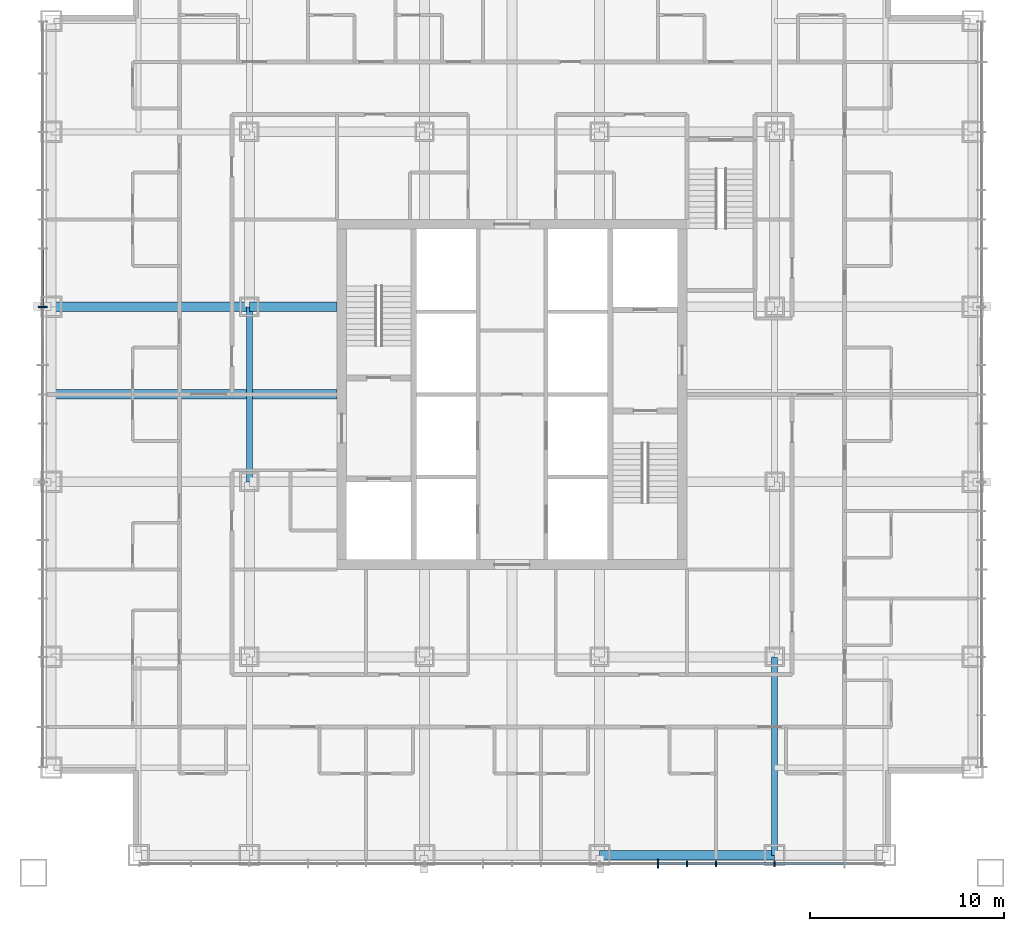
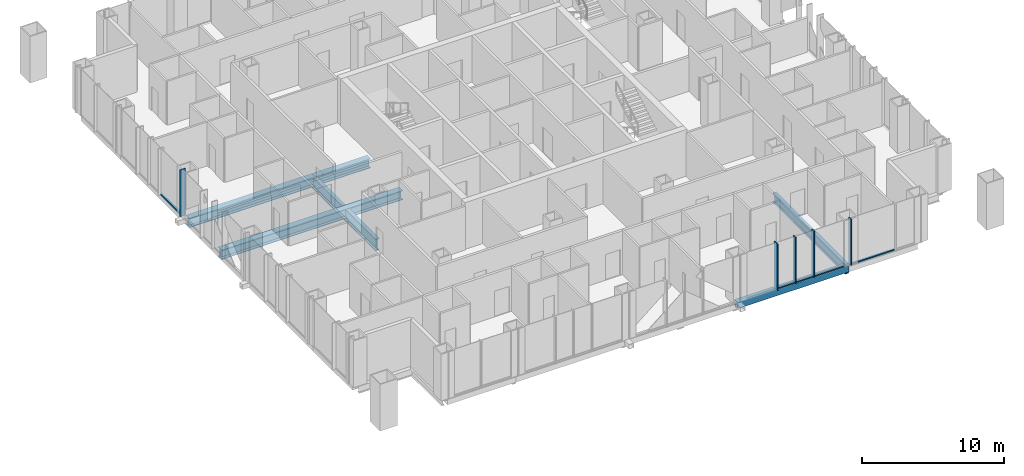
# One storey, part 3 of 16: 10 members, 6 beams, 2 elements without a shape of their own.
"""IFC4 building model written with IfcOpenShell, lengths in metres."""

from ifc_helpers import new_model, si_unit, direction, frame, origin, origin_2d, place, context, subcontext, project, spatial, rectangle, hollow_rectangle, i_section, extrude, material, layer, layer_set, material_profile, profile_set, type_object, element, aggregate, save


model = new_model("IFC4")

# Units and contexts
model_context = context("Model", 3, precision=1e-05, world=origin(), true_north=direction((0.0, 1.0)))
body_context = subcontext(model_context, "Body", "Model", "MODEL_VIEW")
ifc_project = project(units=[si_unit("LENGTHUNIT", "METRE"), si_unit("AREAUNIT", "SQUARE_METRE"), si_unit("VOLUMEUNIT", "CUBIC_METRE"), si_unit("PLANEANGLEUNIT", "RADIAN"), si_unit("MASSUNIT", "GRAM", prefix="KILO")], contexts=[model_context])

# Site, building, storey
site_placement = place(None, origin())
site = spatial("IfcSite", under=ifc_project, at=site_placement, CompositionType="ELEMENT")
building_placement = place(site_placement, origin())
building = spatial("IfcBuilding", under=site, at=building_placement, Name="Malebo Sky Hospital", CompositionType="ELEMENT")
storey_placement = place(building_placement, frame((0.0, 0.0, 116.0)))
storey = spatial("IfcBuildingStorey", under=building, at=storey_placement, Name="L27", CompositionType="ELEMENT", Elevation=116.0)

# Curtain wall, member
ifc_material_1 = material(Name="Anodised aluminium, natural silver", Category="aluminium")
ifc_layer_1 = layer(ifc_material_1, 0.25)
ifc_layer_set_1 = layer_set([ifc_layer_1], Name="WARD CURTAIN WALL EAST AND WEST")
curtain_wall_type_1 = type_object("IfcCurtainWallType", Name="WARD CURTAIN WALL EAST AND WEST", PredefinedType="NOTDEFINED", material=ifc_layer_set_1)
curtain_wall_1_placement = place(storey_placement, origin())
curtain_wall_1 = element("IfcCurtainWall", 1, at=curtain_wall_1_placement, inside=storey, type_object=curtain_wall_type_1, Name="EW curtain wall W", PredefinedType="NOTDEFINED")
ifc_material_profile_1 = material_profile(ifc_material_1, rectangle(XDim=0.14990234375, YDim=0.10009765625, at=origin_2d()), Name="ALUMINIUM TRANSOM 150x100")
ifc_profile_set_1 = profile_set([ifc_material_profile_1], Name="Anodised aluminium, natural silver")
member_type_1 = type_object("IfcMemberType", Name="ALUMINIUM TRANSOM 150x100", PredefinedType="USERDEFINED", material=ifc_profile_set_1)
member_1_placement = place(storey_placement, frame((35.864990234375, 66.53759765625, 0.050048828125), z_axis=(0.0, 1.0, 0.0), x_axis=(-1.0, 0.0, 0.0)))
member_1 = element("IfcMember", 2, at=member_1_placement, type_object=member_type_1, Name="Transom 11", ObjectType="TRANSOM", PredefinedType="USERDEFINED", context=body_context, shape_type="SweptSolid", body=[
    extrude(rectangle(XDim=0.14990234375, YDim=0.10009765625, at=origin_2d()), origin(), (0.0, 0.0, 1.0), 2.9248046875),
])

# Curtain wall, members
ifc_layer_2 = layer(ifc_material_1, 0.25)
ifc_layer_set_2 = layer_set([ifc_layer_2], Name="WARD CURTAIN WALL NORTH AND SOUTH")
curtain_wall_type_2 = type_object("IfcCurtainWallType", Name="WARD CURTAIN WALL NORTH AND SOUTH", PredefinedType="NOTDEFINED", material=ifc_layer_set_2)
curtain_wall_2_placement = place(storey_placement, origin())
curtain_wall_2 = element("IfcCurtainWall", 3, at=curtain_wall_2_placement, inside=storey, type_object=curtain_wall_type_2, Name="NS curtain wall S", PredefinedType="NOTDEFINED")
member_2_placement = place(storey_placement, frame((77.0625, 37.864990234375, 0.050048828125), z_axis=(-1.0, 0.0, 0.0), x_axis=(0.0, -1.0, 0.0)))
member_2 = element("IfcMember", 4, at=member_2_placement, type_object=member_type_1, Name="Transom 2", ObjectType="TRANSOM", PredefinedType="USERDEFINED", context=body_context, shape_type="SweptSolid", body=[
    extrude(rectangle(XDim=0.14990234375, YDim=0.10009765625, at=origin_2d()), origin(), (0.0, 0.0, 1.0), 3.52490234375),
])
member_3_placement = place(storey_placement, frame((73.46240234375, 37.864990234375, 0.050048828125), z_axis=(-1.0, 0.0, 0.0), x_axis=(0.0, -1.0, 0.0)))
member_3 = element("IfcMember", 5, at=member_3_placement, type_object=member_type_1, Name="Transom 3", ObjectType="TRANSOM", PredefinedType="USERDEFINED", context=body_context, shape_type="SweptSolid", body=[
    extrude(rectangle(XDim=0.14990234375, YDim=0.10009765625, at=origin_2d()), origin(), (0.0, 0.0, 1.0), 2.9248046875),
])
member_4_placement = place(storey_placement, frame((70.46240234375, 37.864990234375, 0.050048828125), z_axis=(-1.0, 0.0, 0.0), x_axis=(0.0, -1.0, 0.0)))
member_4 = element("IfcMember", 6, at=member_4_placement, type_object=member_type_1, Name="Transom 4", ObjectType="TRANSOM", PredefinedType="USERDEFINED", context=body_context, shape_type="SweptSolid", body=[
    extrude(rectangle(XDim=0.14990234375, YDim=0.10009765625, at=origin_2d()), origin(), (0.0, 0.0, 1.0), 1.4248046875),
])
member_5_placement = place(storey_placement, frame((68.96240234375, 37.864990234375, 0.050048828125), z_axis=(-1.0, 0.0, 0.0), x_axis=(0.0, -1.0, 0.0)))
member_5 = element("IfcMember", 7, at=member_5_placement, type_object=member_type_1, Name="Transom 5", ObjectType="TRANSOM", PredefinedType="USERDEFINED", context=body_context, shape_type="SweptSolid", body=[
    extrude(rectangle(XDim=0.14990234375, YDim=0.10009765625, at=origin_2d()), origin(), (0.0, 0.0, 1.0), 1.4248046875),
])
ifc_material_profile_2 = material_profile(ifc_material_1, rectangle(XDim=0.074951171875, YDim=0.300048828125, at=origin_2d()), Name="CW1 ALUMINIUM FIN MULLION 75x300")
ifc_profile_set_2 = profile_set([ifc_material_profile_2], Name="Anodised aluminium, natural silver")
member_type_2 = type_object("IfcMemberType", Name="CW1 ALUMINIUM FIN MULLION 75x300", PredefinedType="MULLION", material=ifc_profile_set_2)
member_6_placement = place(storey_placement, frame((73.5, 37.864990234375, 0.0), z_axis=(0.0, 0.0, 1.0), x_axis=(-1.0, 0.0, 0.0)))
member_6 = element("IfcMember", 8, at=member_6_placement, type_object=member_type_2, Name="Fin mullion 3", PredefinedType="MULLION", context=body_context, shape_type="SweptSolid", body=[
    extrude(rectangle(XDim=0.074951171875, YDim=0.300048828125, at=origin_2d()), origin(), (0.0, 0.0, 1.0), 4.0),
])
member_7_placement = place(storey_placement, frame((70.5, 37.864990234375, 0.0), z_axis=(0.0, 0.0, 1.0), x_axis=(-1.0, 0.0, 0.0)))
member_7 = element("IfcMember", 9, at=member_7_placement, type_object=member_type_2, Name="Fin mullion 4", PredefinedType="MULLION", context=body_context, shape_type="SweptSolid", body=[
    extrude(rectangle(XDim=0.074951171875, YDim=0.300048828125, at=origin_2d()), origin(), (0.0, 0.0, 1.0), 4.0),
])
member_8_placement = place(storey_placement, frame((69.0, 37.864990234375, 0.0), z_axis=(0.0, 0.0, 1.0), x_axis=(-1.0, 0.0, 0.0)))
member_8 = element("IfcMember", 10, at=member_8_placement, type_object=member_type_2, Name="Fin mullion 5", PredefinedType="MULLION", context=body_context, shape_type="SweptSolid", body=[
    extrude(rectangle(XDim=0.074951171875, YDim=0.300048828125, at=origin_2d()), origin(), (0.0, 0.0, 1.0), 4.0),
])
ifc_material_profile_3 = material_profile(ifc_material_1, rectangle(XDim=0.074951171875, YDim=0.449951171875, at=origin_2d()), Name="CW1 ALUMINIUM FIN MULLION 75x450")
ifc_profile_set_3 = profile_set([ifc_material_profile_3], Name="Anodised aluminium, natural silver")
member_type_3 = type_object("IfcMemberType", Name="CW1 ALUMINIUM FIN MULLION 75x450", PredefinedType="MULLION", material=ifc_profile_set_3)
member_9_placement = place(storey_placement, frame((67.5, 37.864990234375, 0.0), z_axis=(0.0, 0.0, 1.0), x_axis=(-1.0, 0.0, 0.0)))
member_9 = element("IfcMember", 11, at=member_9_placement, type_object=member_type_3, Name="Fin mullion 6", PredefinedType="MULLION", context=body_context, shape_type="SweptSolid", body=[
    extrude(rectangle(XDim=0.074951171875, YDim=0.449951171875, at=origin_2d()), origin(), (0.0, 0.0, 1.0), 4.0),
])
aggregate(curtain_wall_2, [member_6, member_7, member_8, member_9, member_2, member_3, member_4, member_5])

# Member
ifc_material_profile_4 = material_profile(ifc_material_1, rectangle(XDim=0.074951171875, YDim=0.449951171875, at=origin_2d()), Name="CW2 ALUMINIUM FIN MULLION 75x450")
ifc_profile_set_4 = profile_set([ifc_material_profile_4], Name="Anodised aluminium, natural silver")
member_type_4 = type_object("IfcMemberType", Name="CW2 ALUMINIUM FIN MULLION 75x450", PredefinedType="MULLION", material=ifc_profile_set_4)
member_10_placement = place(storey_placement, frame((35.864990234375, 66.5, 0.0), z_axis=(0.0, 0.0, 1.0), x_axis=(0.0, 1.0, 0.0)))
member_10 = element("IfcMember", 12, at=member_10_placement, type_object=member_type_4, Name="Fin mullion 11", PredefinedType="MULLION", context=body_context, shape_type="SweptSolid", body=[
    extrude(rectangle(XDim=0.074951171875, YDim=0.449951171875, at=origin_2d()), origin(), (0.0, 0.0, 1.0), 4.0),
])

aggregate(curtain_wall_1, [member_10, member_1])

# Beams
ifc_material_2 = material(Name="Steel S460", Category="steel")
ifc_material_profile_5 = material_profile(ifc_material_2, hollow_rectangle(XDim=0.5, YDim=0.5, WallThickness=0.030029296875, at=origin_2d()), Name="BOX 500x500x30")
ifc_profile_set_5 = profile_set([ifc_material_profile_5], Name="Steel S460")
beam_type_1 = type_object("IfcBeamType", Name="EDGE BEAM BOX 500x500x30", PredefinedType="BEAM", material=ifc_profile_set_5)
beam_1_placement = place(storey_placement, frame((64.5, 38.300048828125, -0.5), z_axis=(1.0, 0.0, 0.0), x_axis=(0.0, 1.0, 0.0)))
element("IfcBeam", 13, at=beam_1_placement, inside=storey, type_object=beam_type_1, Name="Beam 037 L27", PredefinedType="BEAM", context=body_context, shape_type="SweptSolid", body=[
    extrude(hollow_rectangle(XDim=0.5, YDim=0.5, WallThickness=0.030029296875, at=origin_2d()), origin(), (0.0, 0.0, 1.0), 9.0),
])
ifc_material_3 = material(Name="Steel S355", Category="steel")
ifc_material_profile_6 = material_profile(ifc_material_3, i_section(OverallWidth=0.5, OverallDepth=0.800048828125, WebThickness=0.030029296875, FlangeThickness=0.050048828125, at=origin_2d()), Name="PG 800x500x30x50")
ifc_profile_set_6 = profile_set([ifc_material_profile_6], Name="Steel S355")
beam_type_2 = type_object("IfcBeamType", Name="FLOOR BEAM PG 800x500x30x50", PredefinedType="BEAM", material=ifc_profile_set_6)
beam_2_placement = place(storey_placement, frame((36.300048828125, 62.0, -0.64990234375), z_axis=(1.0, 0.0, 0.0), x_axis=(0.0, 1.0, 0.0)))
element("IfcBeam", 14, at=beam_2_placement, inside=storey, type_object=beam_type_2, Name="Beam 050 L27", PredefinedType="BEAM", context=body_context, shape_type="SweptSolid", body=[
    extrude(i_section(OverallWidth=0.5, OverallDepth=0.800048828125, WebThickness=0.030029296875, FlangeThickness=0.050048828125, at=origin_2d()), origin(), (0.0, 0.0, 1.0), 14.699951171875),
])
beam_3_placement = place(storey_placement, frame((36.300048828125, 66.5, -0.64990234375), z_axis=(1.0, 0.0, 0.0), x_axis=(0.0, 1.0, 0.0)))
element("IfcBeam", 15, at=beam_3_placement, inside=storey, type_object=beam_type_2, Name="Beam 052 L27", PredefinedType="BEAM", context=body_context, shape_type="SweptSolid", body=[
    extrude(i_section(OverallWidth=0.5, OverallDepth=0.800048828125, WebThickness=0.030029296875, FlangeThickness=0.050048828125, at=origin_2d()), origin(), (0.0, 0.0, 1.0), 10.199951171875),
])
beam_4_placement = place(storey_placement, frame((46.5, 66.5, -0.64990234375), z_axis=(1.0, 0.0, 0.0), x_axis=(0.0, 1.0, 0.0)))
element("IfcBeam", 16, at=beam_4_placement, inside=storey, type_object=beam_type_2, Name="Beam 053 L27", PredefinedType="BEAM", context=body_context, shape_type="SweptSolid", body=[
    extrude(i_section(OverallWidth=0.5, OverallDepth=0.800048828125, WebThickness=0.030029296875, FlangeThickness=0.050048828125, at=origin_2d()), origin(), (0.0, 0.0, 1.0), 4.5),
])
ifc_material_profile_7 = material_profile(ifc_material_3, i_section(OverallWidth=0.300048828125, OverallDepth=0.800048828125, WebThickness=0.017578125, FlangeThickness=0.032958984375, FilletRadius=0.030029296875, at=origin_2d()), Name="HEB 800")
ifc_profile_set_7 = profile_set([ifc_material_profile_7], Name="Steel S355")
beam_type_3 = type_object("IfcBeamType", Name="FLOOR GIRDER HEB 800", PredefinedType="BEAM", material=ifc_profile_set_7)
beam_5_placement = place(storey_placement, frame((73.5, 38.300048828125, -0.64990234375), z_axis=(0.0, 1.0, 0.0), x_axis=(-1.0, 0.0, 0.0)))
element("IfcBeam", 17, at=beam_5_placement, inside=storey, type_object=beam_type_3, Name="Beam 022 L27", PredefinedType="BEAM", context=body_context, shape_type="SweptSolid", body=[
    extrude(i_section(OverallWidth=0.300048828125, OverallDepth=0.800048828125, WebThickness=0.017578125, FlangeThickness=0.032958984375, FilletRadius=0.030029296875, at=origin_2d()), origin(), (0.0, 0.0, 1.0), 10.199951171875),
])
ifc_material_profile_8 = material_profile(ifc_material_3, i_section(OverallWidth=0.300048828125, OverallDepth=1.0, WebThickness=0.01904296875, FlangeThickness=0.035888671875, FilletRadius=0.030029296875, at=origin_2d()), Name="HEB 1000")
ifc_profile_set_8 = profile_set([ifc_material_profile_8], Name="Steel S355")
beam_type_4 = type_object("IfcBeamType", Name="RING GIRDER HEB 1000", PredefinedType="BEAM", material=ifc_profile_set_8)
beam_6_placement = place(storey_placement, frame((46.5, 57.5, -0.75), z_axis=(0.0, 1.0, 0.0), x_axis=(-1.0, 0.0, 0.0)))
element("IfcBeam", 18, at=beam_6_placement, inside=storey, type_object=beam_type_4, Name="Beam 009 L27", PredefinedType="BEAM", context=body_context, shape_type="SweptSolid", body=[
    extrude(i_section(OverallWidth=0.300048828125, OverallDepth=1.0, WebThickness=0.01904296875, FlangeThickness=0.035888671875, FilletRadius=0.030029296875, at=origin_2d()), origin(), (0.0, 0.0, 1.0), 9.0),
])

save(model, "model.ifc")
